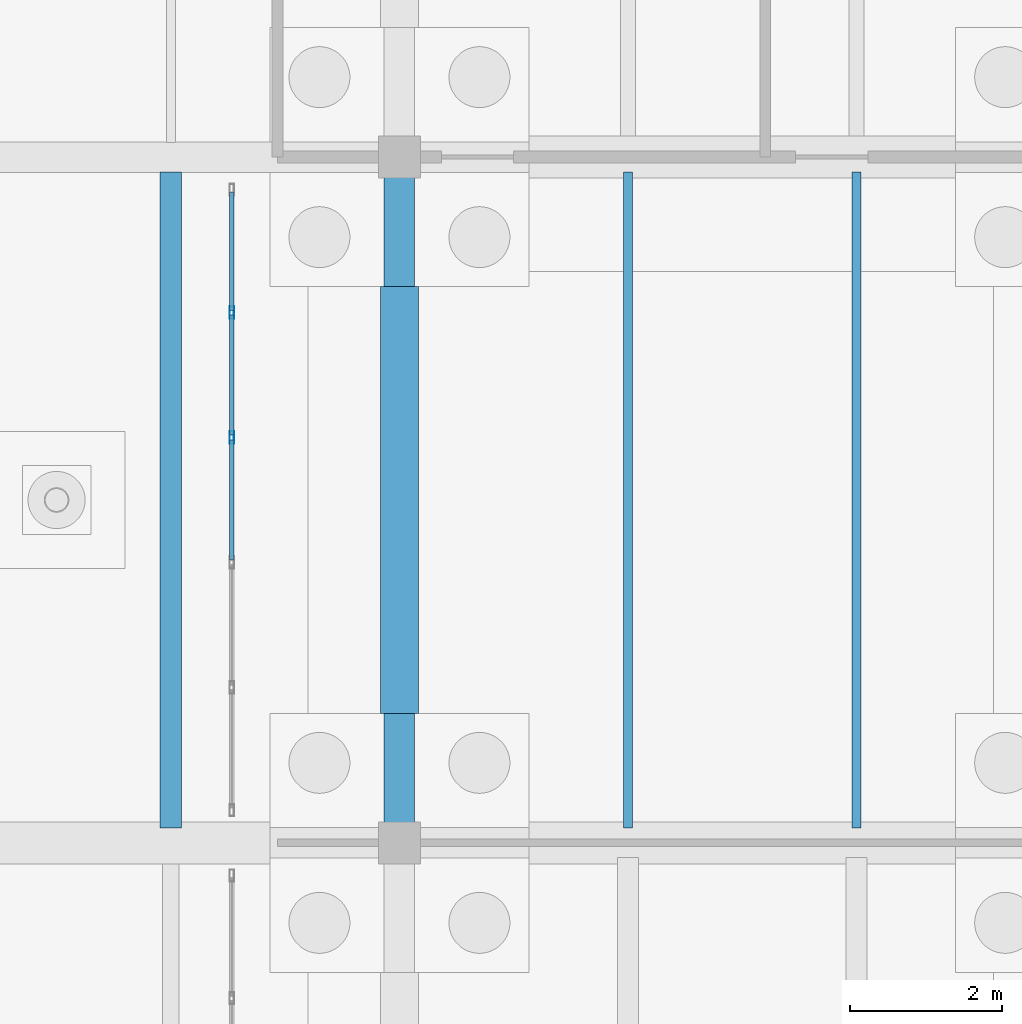
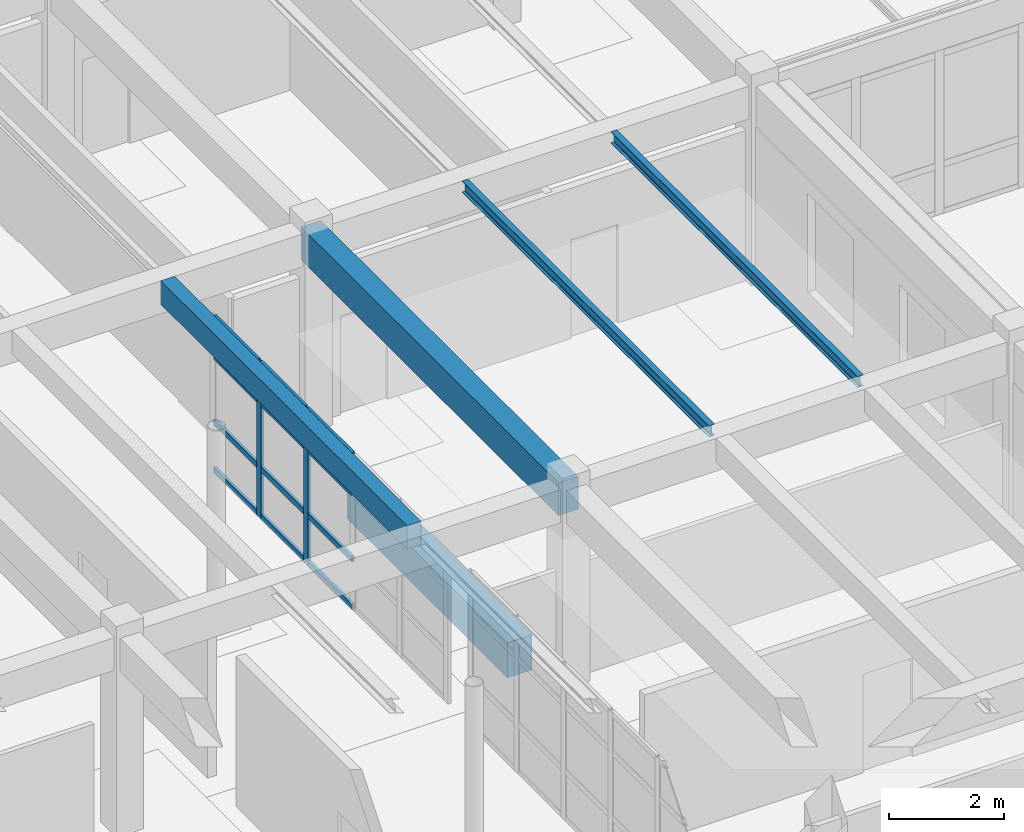
# One storey, part 54 of 186: 14 members, 5 beams, 1 element without a shape of its own.
"""IFC4 building model written with IfcOpenShell, lengths in metres."""

from ifc_helpers import new_model, si_unit, direction, frame, origin, origin_2d, place, context, subcontext, project, spatial, rectangle, hollow_rectangle, i_section, extrude, material, layer, layer_set, material_profile, profile_set, type_object, element, aggregate, save


model = new_model("IFC4")

# Units and contexts
model_context = context("Model", 3, precision=1e-05, world=origin(), true_north=direction((0.0, 1.0)))
body_context = subcontext(model_context, "Body", "Model", "MODEL_VIEW")
ifc_project = project(units=[si_unit("LENGTHUNIT", "METRE"), si_unit("AREAUNIT", "SQUARE_METRE"), si_unit("VOLUMEUNIT", "CUBIC_METRE"), si_unit("PLANEANGLEUNIT", "RADIAN"), si_unit("MASSUNIT", "GRAM", prefix="KILO")], contexts=[model_context])

# Site, building, storey
site_placement = place(None, origin())
site = spatial("IfcSite", under=ifc_project, at=site_placement, CompositionType="ELEMENT")
building_placement = place(site_placement, origin())
building = spatial("IfcBuilding", under=site, at=building_placement, Name="Ornek Quay Market", CompositionType="ELEMENT")
storey_placement = place(building_placement, origin())
storey = spatial("IfcBuildingStorey", under=building, at=storey_placement, Name="L00", CompositionType="ELEMENT", Elevation=0.0)

# Beams
ifc_material_1 = material(Name="Concrete C35/45", Category="concrete")
ifc_material_profile_1 = material_profile(ifc_material_1, rectangle(XDim=0.5, YDim=0.75, at=origin_2d()), Name="RC 500x750", Category="concrete")
ifc_profile_set_1 = profile_set([ifc_material_profile_1], Name="Concrete C35/45")
beam_type_1 = type_object("IfcBeamType", Name="BM-GB-500x750", PredefinedType="BEAM", material=ifc_profile_set_1)
beam_1_placement = place(storey_placement, frame((18.0, 84.699951171875, -0.574951171875), z_axis=(0.0, 1.0, 0.0), x_axis=(-1.0, 0.0, 0.0)))
element("IfcBeam", 1, at=beam_1_placement, inside=storey, type_object=beam_type_1, Name="Ground tie beam GB-073", PredefinedType="BEAM", context=body_context, shape_type="SweptSolid", body=[
    extrude(rectangle(XDim=0.5, YDim=0.75, at=origin_2d()), origin(), (0.0, 0.0, 1.0), 5.60009765625),
])
ifc_material_profile_2 = material_profile(ifc_material_1, rectangle(XDim=0.280029296875, YDim=0.5, at=origin_2d()), Name="RC 280x500", Category="concrete")
ifc_profile_set_2 = profile_set([ifc_material_profile_2], Name="Concrete C35/45")
beam_type_2 = type_object("IfcBeamType", Name="BM-SEC-280x500", PredefinedType="JOIST", material=ifc_profile_set_2)
beam_2_placement = place(storey_placement, frame((15.0, 83.19189453125, 3.969970703125), z_axis=(0.0, 1.0, 0.0), x_axis=(-1.0, 0.0, 0.0)))
element("IfcBeam", 2, at=beam_2_placement, inside=storey, type_object=beam_type_2, Name="Secondary joist B-SC2-026", PredefinedType="JOIST", context=body_context, shape_type="SweptSolid", body=[
    extrude(rectangle(XDim=0.280029296875, YDim=0.5, at=origin_2d()), origin(), (0.0, 0.0, 1.0), 8.6162109375),
])
ifc_material_2 = material(Name="Steel S355", Category="steel")
ifc_material_profile_3 = material_profile(ifc_material_2, i_section(OverallWidth=0.1201171875, OverallDepth=0.239990234375, WebThickness=0.006103515625, FlangeThickness=0.009765625, FilletRadius=0.014892578125, at=origin_2d()), Name="IPE 240", Category="steel")
ifc_profile_set_3 = profile_set([ifc_material_profile_3], Name="Steel S355")
beam_type_3 = type_object("IfcBeamType", Name="BM-STL-IPE240", PredefinedType="JOIST", material=ifc_profile_set_3)
for number, where, z_axis, x_axis, name in (
    (3, (21.0, 83.19189453125, 4.10009765625), (0.0, 1.0, 0.0), (-1.0, 0.0, 0.0), "Secondary joist SB-04-015"),
    (4, (24.0, 83.19189453125, 4.10009765625), (0.0, 1.0, 0.0), (-1.0, 0.0, 0.0), "Secondary joist SB-04-016"),
):
    element("IfcBeam", number, at=place(storey_placement, frame(where, z_axis=z_axis, x_axis=x_axis)), inside=storey, type_object=beam_type_3, Name=name, PredefinedType="JOIST", context=body_context, shape_type="SweptSolid", body=[
        extrude(i_section(OverallWidth=0.1201171875, OverallDepth=0.239990234375, WebThickness=0.006103515625, FlangeThickness=0.009765625, FilletRadius=0.014892578125, at=origin_2d()), origin(), (0.0, 0.0, 1.0), 8.6162109375),
    ])
ifc_material_profile_4 = material_profile(ifc_material_1, rectangle(XDim=0.39990234375, YDim=0.699951171875, at=origin_2d()), Name="RC 400x700", Category="concrete")
ifc_profile_set_4 = profile_set([ifc_material_profile_4], Name="Concrete C35/45")
beam_type_4 = type_object("IfcBeamType", Name="BM-WW-400x700", PredefinedType="BEAM", material=ifc_profile_set_4)
beam_3_placement = place(storey_placement, frame((18.0, 83.0, 3.8701171875), z_axis=(0.0, 1.0, 0.0), x_axis=(-1.0, 0.0, 0.0)))
element("IfcBeam", 5, at=beam_3_placement, inside=storey, type_object=beam_type_4, Name="Primary beam B-WW1-045", PredefinedType="BEAM", context=body_context, shape_type="SweptSolid", body=[
    extrude(rectangle(XDim=0.39990234375, YDim=0.699951171875, at=origin_2d()), origin(), (0.0, 0.0, 1.0), 9.0),
])

# Curtain wall, members
ifc_material_3 = material(Name="Anodised bronze aluminium and triple low-e glass", Category="aluminium")
ifc_layer = layer(ifc_material_3, 0.179931640625, Name="Anodised bronze aluminium and triple low-e glass", Category="aluminium")
ifc_layer_set = layer_set([ifc_layer], Name="Anodised bronze aluminium and triple low-e glass")
curtain_wall_type = type_object("IfcCurtainWallType", Name="CW-CONC-MOD1500", PredefinedType="USERDEFINED", material=ifc_layer_set)
curtain_wall_placement = place(storey_placement, origin())
curtain_wall = element("IfcCurtainWall", 6, at=curtain_wall_placement, inside=storey, type_object=curtain_wall_type, Name="Curtain wall CW-146", ObjectType="CURTAIN WALL", PredefinedType="USERDEFINED")
ifc_material_4 = material(Name="Anodised aluminium 6063-T6", Category="aluminium")
ifc_material_profile_5 = material_profile(ifc_material_4, hollow_rectangle(XDim=0.06005859375, YDim=0.159912109375, WallThickness=0.00390625, at=origin_2d()), Name="CW-MUL-60x160", Category="aluminium")
ifc_profile_set_5 = profile_set([ifc_material_profile_5], Name="Anodised aluminium 6063-T6")
member_type_1 = type_object("IfcMemberType", Name="CW-MUL-60x160", PredefinedType="MULLION", material=ifc_profile_set_5)
member_1_placement = place(storey_placement, frame((15.800048828125, 88.320068359375, 0.0), z_axis=(0.0, 0.0, 1.0), x_axis=(-1.0, 0.0, 0.0)))
member_1 = element("IfcMember", 7, at=member_1_placement, type_object=member_type_1, Name="CW-146 mullion 4", PredefinedType="MULLION", context=body_context, shape_type="SweptSolid", body=[
    extrude(hollow_rectangle(XDim=0.06005859375, YDim=0.159912109375, WallThickness=0.00390625, at=origin_2d()), origin(), (0.0, 0.0, 1.0), 3.300048828125),
])
member_2_placement = place(storey_placement, frame((15.800048828125, 89.9599609375, 0.0), z_axis=(0.0, 0.0, 1.0), x_axis=(-1.0, 0.0, 0.0)))
member_2 = element("IfcMember", 8, at=member_2_placement, type_object=member_type_1, Name="CW-146 mullion 5", PredefinedType="MULLION", context=body_context, shape_type="SweptSolid", body=[
    extrude(hollow_rectangle(XDim=0.06005859375, YDim=0.159912109375, WallThickness=0.00390625, at=origin_2d()), origin(), (0.0, 0.0, 1.0), 3.300048828125),
])
ifc_material_profile_6 = material_profile(ifc_material_4, hollow_rectangle(XDim=0.06005859375, YDim=0.1201171875, WallThickness=0.00390625, at=origin_2d()), Name="CW-TRN-60x120", Category="aluminium")
ifc_profile_set_6 = profile_set([ifc_material_profile_6], Name="Anodised aluminium 6063-T6")
member_type_2 = type_object("IfcMemberType", Name="CW-TRN-60x120", PredefinedType="USERDEFINED", material=ifc_profile_set_6)
member_3_placement = place(storey_placement, frame((15.800048828125, 86.7099609375, 0.030029296875), z_axis=(0.0, 1.0, 0.0), x_axis=(-1.0, 0.0, 0.0)))
member_3 = element("IfcMember", 9, at=member_3_placement, type_object=member_type_2, Name="CW-146 transom 3.1", ObjectType="TRANSOM", PredefinedType="USERDEFINED", context=body_context, shape_type="SweptSolid", body=[
    extrude(hollow_rectangle(XDim=0.06005859375, YDim=0.1201171875, WallThickness=0.00390625, at=origin_2d()), origin(), (0.0, 0.0, 1.0), 1.580078125),
])
member_4_placement = place(storey_placement, frame((15.800048828125, 86.7099609375, 1.050048828125), z_axis=(0.0, 1.0, 0.0), x_axis=(-1.0, 0.0, 0.0)))
member_4 = element("IfcMember", 10, at=member_4_placement, type_object=member_type_2, Name="CW-146 transom 3.2", ObjectType="TRANSOM", PredefinedType="USERDEFINED", context=body_context, shape_type="SweptSolid", body=[
    extrude(hollow_rectangle(XDim=0.06005859375, YDim=0.1201171875, WallThickness=0.00390625, at=origin_2d()), origin(), (0.0, 0.0, 1.0), 1.580078125),
])
member_5_placement = place(storey_placement, frame((15.800048828125, 86.7099609375, 2.449951171875), z_axis=(0.0, 1.0, 0.0), x_axis=(-1.0, 0.0, 0.0)))
member_5 = element("IfcMember", 11, at=member_5_placement, type_object=member_type_2, Name="CW-146 transom 3.3", ObjectType="TRANSOM", PredefinedType="USERDEFINED", context=body_context, shape_type="SweptSolid", body=[
    extrude(hollow_rectangle(XDim=0.06005859375, YDim=0.1201171875, WallThickness=0.00390625, at=origin_2d()), origin(), (0.0, 0.0, 1.0), 1.580078125),
])
member_6_placement = place(storey_placement, frame((15.800048828125, 86.7099609375, 3.27001953125), z_axis=(0.0, 1.0, 0.0), x_axis=(-1.0, 0.0, 0.0)))
member_6 = element("IfcMember", 12, at=member_6_placement, type_object=member_type_2, Name="CW-146 transom 3.4", ObjectType="TRANSOM", PredefinedType="USERDEFINED", context=body_context, shape_type="SweptSolid", body=[
    extrude(hollow_rectangle(XDim=0.06005859375, YDim=0.1201171875, WallThickness=0.00390625, at=origin_2d()), origin(), (0.0, 0.0, 1.0), 1.580078125),
])
member_7_placement = place(storey_placement, frame((15.800048828125, 88.35009765625, 0.030029296875), z_axis=(0.0, 1.0, 0.0), x_axis=(-1.0, 0.0, 0.0)))
member_7 = element("IfcMember", 13, at=member_7_placement, type_object=member_type_2, Name="CW-146 transom 4.1", ObjectType="TRANSOM", PredefinedType="USERDEFINED", context=body_context, shape_type="SweptSolid", body=[
    extrude(hollow_rectangle(XDim=0.06005859375, YDim=0.1201171875, WallThickness=0.00390625, at=origin_2d()), origin(), (0.0, 0.0, 1.0), 1.579833984375),
])
member_8_placement = place(storey_placement, frame((15.800048828125, 88.35009765625, 1.050048828125), z_axis=(0.0, 1.0, 0.0), x_axis=(-1.0, 0.0, 0.0)))
member_8 = element("IfcMember", 14, at=member_8_placement, type_object=member_type_2, Name="CW-146 transom 4.2", ObjectType="TRANSOM", PredefinedType="USERDEFINED", context=body_context, shape_type="SweptSolid", body=[
    extrude(hollow_rectangle(XDim=0.06005859375, YDim=0.1201171875, WallThickness=0.00390625, at=origin_2d()), origin(), (0.0, 0.0, 1.0), 1.579833984375),
])
member_9_placement = place(storey_placement, frame((15.800048828125, 88.35009765625, 2.449951171875), z_axis=(0.0, 1.0, 0.0), x_axis=(-1.0, 0.0, 0.0)))
member_9 = element("IfcMember", 15, at=member_9_placement, type_object=member_type_2, Name="CW-146 transom 4.3", ObjectType="TRANSOM", PredefinedType="USERDEFINED", context=body_context, shape_type="SweptSolid", body=[
    extrude(hollow_rectangle(XDim=0.06005859375, YDim=0.1201171875, WallThickness=0.00390625, at=origin_2d()), origin(), (0.0, 0.0, 1.0), 1.579833984375),
])
member_10_placement = place(storey_placement, frame((15.800048828125, 88.35009765625, 3.27001953125), z_axis=(0.0, 1.0, 0.0), x_axis=(-1.0, 0.0, 0.0)))
member_10 = element("IfcMember", 16, at=member_10_placement, type_object=member_type_2, Name="CW-146 transom 4.4", ObjectType="TRANSOM", PredefinedType="USERDEFINED", context=body_context, shape_type="SweptSolid", body=[
    extrude(hollow_rectangle(XDim=0.06005859375, YDim=0.1201171875, WallThickness=0.00390625, at=origin_2d()), origin(), (0.0, 0.0, 1.0), 1.579833984375),
])
member_11_placement = place(storey_placement, frame((15.800048828125, 89.989990234375, 0.030029296875), z_axis=(0.0, 1.0, 0.0), x_axis=(-1.0, 0.0, 0.0)))
member_11 = element("IfcMember", 17, at=member_11_placement, type_object=member_type_2, Name="CW-146 transom 5.1", ObjectType="TRANSOM", PredefinedType="USERDEFINED", context=body_context, shape_type="SweptSolid", body=[
    extrude(hollow_rectangle(XDim=0.06005859375, YDim=0.1201171875, WallThickness=0.00390625, at=origin_2d()), origin(), (0.0, 0.0, 1.0), 1.550048828125),
])
member_12_placement = place(storey_placement, frame((15.800048828125, 89.989990234375, 1.050048828125), z_axis=(0.0, 1.0, 0.0), x_axis=(-1.0, 0.0, 0.0)))
member_12 = element("IfcMember", 18, at=member_12_placement, type_object=member_type_2, Name="CW-146 transom 5.2", ObjectType="TRANSOM", PredefinedType="USERDEFINED", context=body_context, shape_type="SweptSolid", body=[
    extrude(hollow_rectangle(XDim=0.06005859375, YDim=0.1201171875, WallThickness=0.00390625, at=origin_2d()), origin(), (0.0, 0.0, 1.0), 1.550048828125),
])
member_13_placement = place(storey_placement, frame((15.800048828125, 89.989990234375, 2.449951171875), z_axis=(0.0, 1.0, 0.0), x_axis=(-1.0, 0.0, 0.0)))
member_13 = element("IfcMember", 19, at=member_13_placement, type_object=member_type_2, Name="CW-146 transom 5.3", ObjectType="TRANSOM", PredefinedType="USERDEFINED", context=body_context, shape_type="SweptSolid", body=[
    extrude(hollow_rectangle(XDim=0.06005859375, YDim=0.1201171875, WallThickness=0.00390625, at=origin_2d()), origin(), (0.0, 0.0, 1.0), 1.550048828125),
])
member_14_placement = place(storey_placement, frame((15.800048828125, 89.989990234375, 3.27001953125), z_axis=(0.0, 1.0, 0.0), x_axis=(-1.0, 0.0, 0.0)))
member_14 = element("IfcMember", 20, at=member_14_placement, type_object=member_type_2, Name="CW-146 transom 5.4", ObjectType="TRANSOM", PredefinedType="USERDEFINED", context=body_context, shape_type="SweptSolid", body=[
    extrude(hollow_rectangle(XDim=0.06005859375, YDim=0.1201171875, WallThickness=0.00390625, at=origin_2d()), origin(), (0.0, 0.0, 1.0), 1.550048828125),
])
aggregate(curtain_wall, [member_1, member_2, member_3, member_4, member_5, member_6, member_7, member_8, member_9, member_10, member_11, member_12, member_13, member_14])

save(model, "model.ifc")
